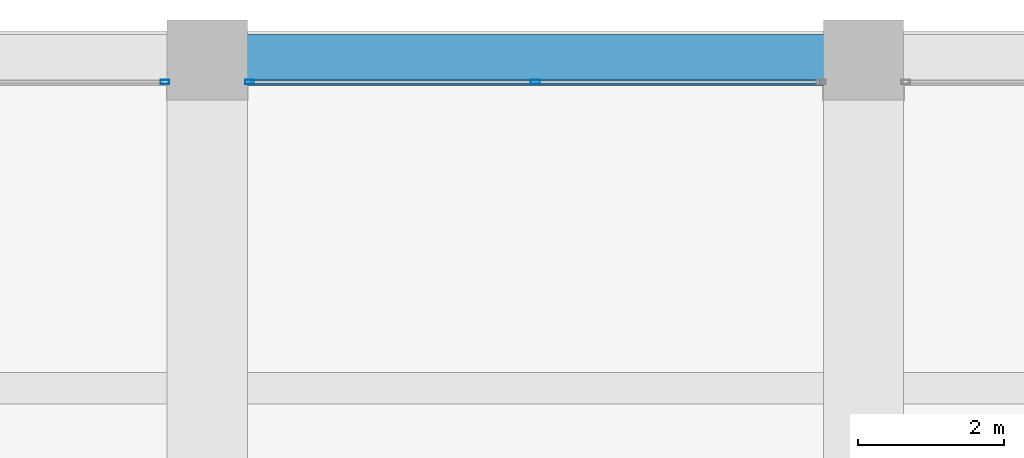
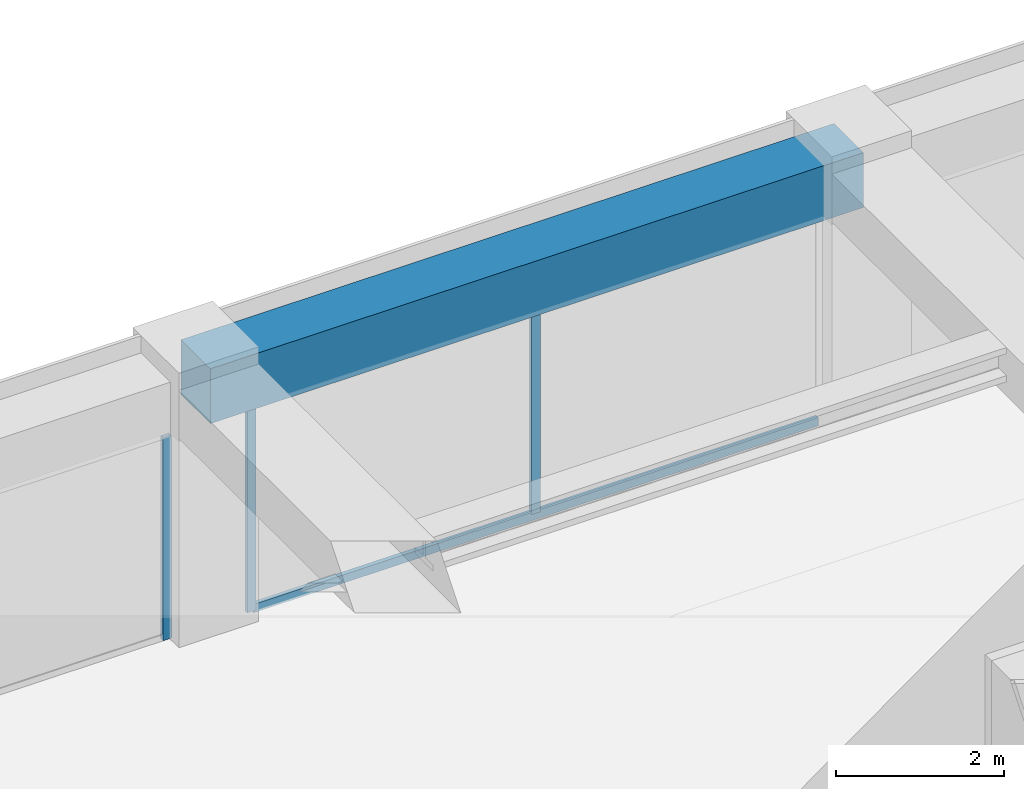
# One storey, part 33 of 45: 4 members, 1 beam, 2 elements without a shape of their own.
"""IFC4 building model written with IfcOpenShell, lengths in metres."""

from ifc_helpers import new_model, si_unit, direction, frame, origin, origin_2d, place, context, subcontext, project, spatial, rectangle, hollow_rectangle, extrude, material, material_profile, profile_set, type_object, element, aggregate, save


model = new_model("IFC4")

# Units and contexts
model_context = context("Model", 3, precision=1e-05, world=origin(), true_north=direction((0.0, 1.0)))
body_context = subcontext(model_context, "Body", "Model", "MODEL_VIEW")
ifc_project = project(units=[si_unit("LENGTHUNIT", "METRE"), si_unit("AREAUNIT", "SQUARE_METRE"), si_unit("VOLUMEUNIT", "CUBIC_METRE"), si_unit("PLANEANGLEUNIT", "RADIAN"), si_unit("MASSUNIT", "GRAM", prefix="KILO")], contexts=[model_context])

# Site, building, storey
site_placement = place(None, origin())
site = spatial("IfcSite", under=ifc_project, at=site_placement, CompositionType="ELEMENT")
building_placement = place(site_placement, origin())
building = spatial("IfcBuilding", under=site, at=building_placement, Name="Zorevar Civic Tower", CompositionType="ELEMENT")
storey_placement = place(building_placement, frame((0.0, 0.0, 303.39990234375)))
storey = spatial("IfcBuildingStorey", under=building, at=storey_placement, Name="L74", CompositionType="ELEMENT", Elevation=303.39990234375)

# Curtain wall, member
ifc_material_1 = material(Name="Dark grey solar-control glass in black aluminium frame", Category="aluminium")
curtain_wall_type = type_object("IfcCurtainWallType", Name="Curtain wall CW5 top zone", PredefinedType="NOTDEFINED", material=ifc_material_1)
curtain_wall_1_placement = place(storey_placement, origin())
curtain_wall_1 = element("IfcCurtainWall", 1, at=curtain_wall_1_placement, inside=storey, type_object=curtain_wall_type, Name="CW5 L74", PredefinedType="NOTDEFINED")
ifc_material_2 = material(Name="Aluminium, black anodised", Category="aluminium")
ifc_material_profile_1 = material_profile(ifc_material_2, hollow_rectangle(XDim=0.06005859375, YDim=0.1201171875, WallThickness=0.0029296875, at=origin_2d()), Name="AL 120x60x3")
ifc_profile_set_1 = profile_set([ifc_material_profile_1], Name="Aluminium, black anodised")
member_type_1 = type_object("IfcMemberType", Name="CW5 mullion AL 120x60x3", PredefinedType="MULLION", material=ifc_profile_set_1)
member_1_placement = place(storey_placement, frame((26.419921875, 44.699951171875, 0.0), z_axis=(0.0, 0.0, 1.0), x_axis=(0.0, 1.0, 0.0)))
member_1 = element("IfcMember", 2, at=member_1_placement, type_object=member_type_1, Name="CW5 mullion 3", PredefinedType="MULLION", context=body_context, shape_type="SweptSolid", body=[
    extrude(hollow_rectangle(XDim=0.06005859375, YDim=0.1201171875, WallThickness=0.0029296875, at=origin_2d()), origin(), (0.0, 0.0, 1.0), 2.9501953125),
])
aggregate(curtain_wall_1, [member_1])

# Curtain wall, members
curtain_wall_2_placement = place(storey_placement, origin())
curtain_wall_2 = element("IfcCurtainWall", 3, at=curtain_wall_2_placement, inside=storey, type_object=curtain_wall_type, Name="CW5 L74", PredefinedType="NOTDEFINED")
member_2_placement = place(storey_placement, frame((27.580078125, 44.699951171875, 0.0), z_axis=(0.0, 0.0, 1.0), x_axis=(0.0, 1.0, 0.0)))
member_2 = element("IfcMember", 4, at=member_2_placement, type_object=member_type_1, Name="CW5 mullion 1", PredefinedType="MULLION", context=body_context, shape_type="SweptSolid", body=[
    extrude(hollow_rectangle(XDim=0.06005859375, YDim=0.1201171875, WallThickness=0.0029296875, at=origin_2d()), origin(), (0.0, 0.0, 1.0), 2.9501953125),
])
member_3_placement = place(storey_placement, frame((31.5, 44.699951171875, 0.06005859375), z_axis=(0.0, 0.0, 1.0), x_axis=(0.0, 1.0, 0.0)))
member_3 = element("IfcMember", 5, at=member_3_placement, type_object=member_type_1, Name="CW5 mullion 2", PredefinedType="MULLION", context=body_context, shape_type="SweptSolid", body=[
    extrude(hollow_rectangle(XDim=0.06005859375, YDim=0.1201171875, WallThickness=0.0029296875, at=origin_2d()), origin(), (0.0, 0.0, 1.0), 2.89013671875),
])
ifc_material_3 = material(Name="Aluminium, black anodised", Category="aluminium")
ifc_material_profile_2 = material_profile(ifc_material_3, hollow_rectangle(XDim=0.06005859375, YDim=0.1201171875, WallThickness=0.0029296875, at=origin_2d()), Name="AL 120x60x3")
ifc_profile_set_2 = profile_set([ifc_material_profile_2], Name="Aluminium, black anodised")
member_type_2 = type_object("IfcMemberType", Name="CW5 transom AL 120x60x3", PredefinedType="USERDEFINED", material=ifc_profile_set_2)
member_4_placement = place(storey_placement, frame((27.610107421875, 44.699951171875, 0.030029296875), z_axis=(1.0, 0.0, 0.0), x_axis=(0.0, 1.0, 0.0)))
member_4 = element("IfcMember", 6, at=member_4_placement, type_object=member_type_2, Name="CW5 sill transom", ObjectType="TRANSOM", PredefinedType="USERDEFINED", context=body_context, shape_type="SweptSolid", body=[
    extrude(hollow_rectangle(XDim=0.06005859375, YDim=0.1201171875, WallThickness=0.0029296875, at=origin_2d()), origin(), (0.0, 0.0, 1.0), 7.77978515625),
])
aggregate(curtain_wall_2, [member_2, member_3, member_4])

# Beam
ifc_material_4 = material(Name="Concrete C50/60", Category="concrete")
ifc_material_profile_3 = material_profile(ifc_material_4, rectangle(XDim=0.699951171875, YDim=0.800048828125, at=origin_2d()), Name="RC 700x800")
ifc_profile_set_3 = profile_set([ifc_material_profile_3], Name="Concrete C50/60")
beam_type = type_object("IfcBeamType", Name="Edge beam RC 700x800", PredefinedType="SPANDREL", material=ifc_profile_set_3)
beam_placement = place(storey_placement, frame((27.0, 45.0, 3.35009765625), z_axis=(1.0, 0.0, 0.0), x_axis=(0.0, 1.0, 0.0)))
element("IfcBeam", 7, at=beam_placement, inside=storey, type_object=beam_type, Name="Edge beam L75", PredefinedType="SPANDREL", context=body_context, shape_type="SweptSolid", body=[
    extrude(rectangle(XDim=0.699951171875, YDim=0.800048828125, at=origin_2d()), origin(), (0.0, 0.0, 1.0), 9.0),
])

save(model, "model.ifc")
